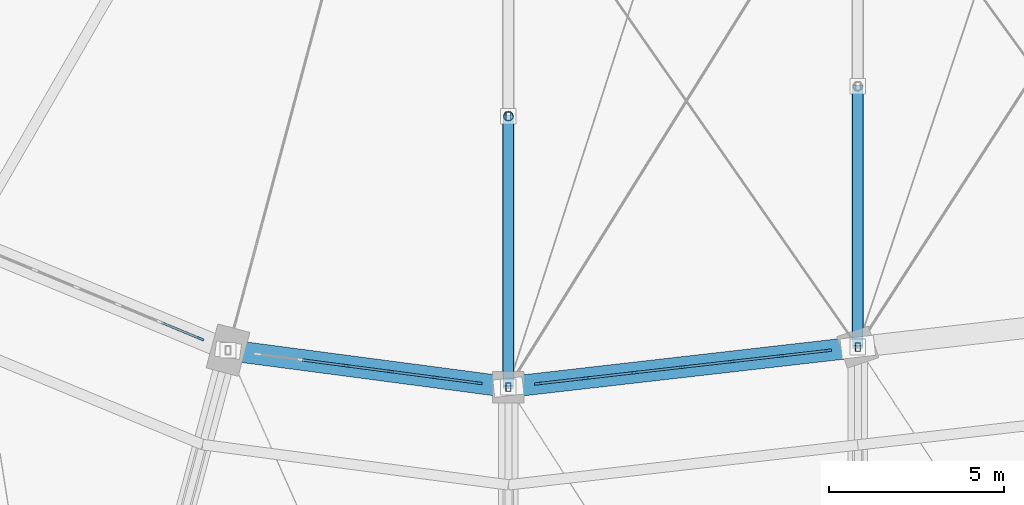
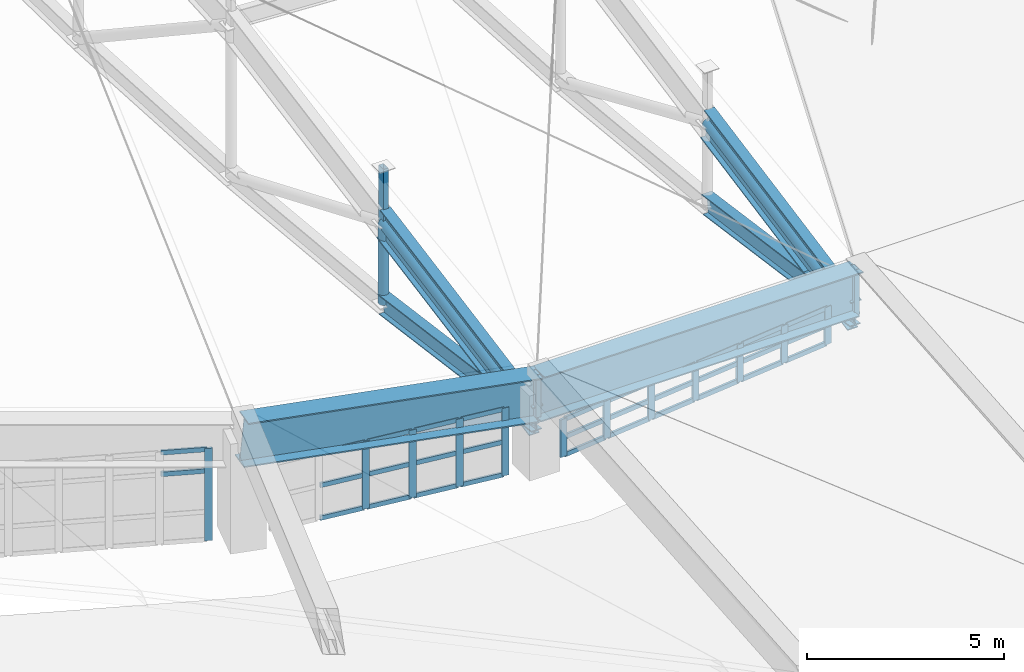
# One storey, part 11 of 68: 50 members, 6 beams, 3 elements without a shape of their own.
"""IFC4 building model written with IfcOpenShell, lengths in metres."""

from ifc_helpers import new_model, si_unit, direction, frame, origin, origin_2d, place, context, subcontext, project, spatial, rectangle, hollow_rectangle, hollow_circle, i_section, extrude, material, layer, layer_set, material_profile, profile_set, type_object, element, aggregate, save


model = new_model("IFC4")

# Units and contexts
model_context = context("Model", 3, precision=1e-05, world=origin(), true_north=direction((0.0, 1.0)))
body_context = subcontext(model_context, "Body", "Model", "MODEL_VIEW")
ifc_project = project(units=[si_unit("LENGTHUNIT", "METRE"), si_unit("AREAUNIT", "SQUARE_METRE"), si_unit("VOLUMEUNIT", "CUBIC_METRE"), si_unit("PLANEANGLEUNIT", "RADIAN"), si_unit("MASSUNIT", "GRAM", prefix="KILO")], contexts=[model_context])

# Site, building, storey
site_placement = place(None, origin())
site = spatial("IfcSite", under=ifc_project, at=site_placement, CompositionType="ELEMENT")
building_placement = place(site_placement, origin())
building = spatial("IfcBuilding", under=site, at=building_placement, Name="Sohan Crest Arena", CompositionType="ELEMENT")
storey_placement = place(building_placement, frame((0.0, 0.0, 27.0)))
storey = spatial("IfcBuildingStorey", under=building, at=storey_placement, Name="RF", CompositionType="ELEMENT", Elevation=27.0)

# Curtain wall, member
ifc_material_1 = material(Name="Thermally broken anodised aluminium", Category="aluminium")
ifc_layer = layer(ifc_material_1, 0.18994140625, Name="Thermally broken anodised aluminium")
ifc_layer_set = layer_set([ifc_layer], Name="Thermally broken anodised aluminium")
curtain_wall_type = type_object("IfcCurtainWallType", Name="ARC-CW05", PredefinedType="NOTDEFINED", material=ifc_layer_set)
curtain_wall_1_placement = place(storey_placement, origin())
curtain_wall_1 = element("IfcCurtainWall", 1, at=curtain_wall_1_placement, inside=storey, type_object=curtain_wall_type, Name="Unitised curtain wall CW-185", PredefinedType="NOTDEFINED")
ifc_material_profile_1 = material_profile(ifc_material_1, rectangle(XDim=0.070068359375, YDim=0.199951171875, at=origin_2d()), Name="ALU-MULL 70x200")
ifc_profile_set_1 = profile_set([ifc_material_profile_1], Name="Thermally broken anodised aluminium")
member_type_1 = type_object("IfcMemberType", Name="ARC-CW-ML03", PredefinedType="MULLION", material=ifc_profile_set_1)
member_1_placement = place(storey_placement, frame((89.186767578125, 48.38330078125, 0.0), z_axis=(0.0, 0.0, 1.0), x_axis=(0.382666625357, 0.923886494023, 0.0)))
member_1 = element("IfcMember", 2, at=member_1_placement, type_object=member_type_1, Name="CW-185 mullion 6", PredefinedType="MULLION", context=body_context, shape_type="SweptSolid", body=[
    extrude(rectangle(XDim=0.070068359375, YDim=0.199951171875, at=origin_2d()), origin(), (0.0, 0.0, 1.0), 2.861083984375),
])

# Curtain wall, members
curtain_wall_2_placement = place(storey_placement, origin())
curtain_wall_2 = element("IfcCurtainWall", 3, at=curtain_wall_2_placement, inside=storey, type_object=curtain_wall_type, Name="Unitised curtain wall CW-187", PredefinedType="NOTDEFINED")
member_2_placement = place(storey_placement, frame((93.348876953125, 47.6123046875, 0.0), z_axis=(0.0, 0.0, 1.0), x_axis=(0.130498613419, 0.991448491802, 0.0)))
member_2 = element("IfcMember", 4, at=member_2_placement, type_object=member_type_1, Name="CW-187 mullion 3", PredefinedType="MULLION", context=body_context, shape_type="SweptSolid", body=[
    extrude(rectangle(XDim=0.070068359375, YDim=0.199951171875, at=origin_2d()), origin(), (0.0, 0.0, 1.0), 2.097900390625),
])
member_3_placement = place(storey_placement, frame((94.628173828125, 47.44384765625, 0.0), z_axis=(0.0, 0.0, 1.0), x_axis=(0.130498613419, 0.991448491802, 0.0)))
member_3 = element("IfcMember", 5, at=member_3_placement, type_object=member_type_1, Name="CW-187 mullion 4", PredefinedType="MULLION", context=body_context, shape_type="SweptSolid", body=[
    extrude(rectangle(XDim=0.070068359375, YDim=0.199951171875, at=origin_2d()), origin(), (0.0, 0.0, 1.0), 2.097900390625),
])
member_4_placement = place(storey_placement, frame((95.90771484375, 47.275390625, 0.0), z_axis=(0.0, 0.0, 1.0), x_axis=(0.130498613419, 0.991448491802, 0.0)))
member_4 = element("IfcMember", 6, at=member_4_placement, type_object=member_type_1, Name="CW-187 mullion 5", PredefinedType="MULLION", context=body_context, shape_type="SweptSolid", body=[
    extrude(rectangle(XDim=0.070068359375, YDim=0.199951171875, at=origin_2d()), origin(), (0.0, 0.0, 1.0), 2.097900390625),
])
member_5_placement = place(storey_placement, frame((97.15234375, 47.111572265625, 0.0), z_axis=(0.0, 0.0, 1.0), x_axis=(0.130498613419, 0.991448491802, 0.0)))
member_5 = element("IfcMember", 7, at=member_5_placement, type_object=member_type_1, Name="CW-187 mullion 6", PredefinedType="MULLION", context=body_context, shape_type="SweptSolid", body=[
    extrude(rectangle(XDim=0.070068359375, YDim=0.199951171875, at=origin_2d()), origin(), (0.0, 0.0, 1.0), 2.097900390625),
])

curtain_wall_3_placement = place(storey_placement, origin())
curtain_wall_3 = element("IfcCurtainWall", 8, at=curtain_wall_3_placement, inside=storey, type_object=curtain_wall_type, Name="Unitised curtain wall CW-189", PredefinedType="NOTDEFINED")
member_6_placement = place(storey_placement, frame((98.849853515625, 47.096923828125, 0.0), z_axis=(0.0, 0.0, 1.0), x_axis=(-0.11359680696, 0.993526932422, 0.0)))
member_6 = element("IfcMember", 9, at=member_6_placement, type_object=member_type_1, Name="CW-189 mullion 1", PredefinedType="MULLION", context=body_context, shape_type="SweptSolid", body=[
    extrude(rectangle(XDim=0.070068359375, YDim=0.199951171875, at=origin_2d()), origin(), (0.0, 0.0, 1.0), 1.1669921875),
])
member_7_placement = place(storey_placement, frame((100.2099609375, 47.25244140625, 0.0), z_axis=(0.0, 0.0, 1.0), x_axis=(-0.11359680696, 0.993526932422, 0.0)))
member_7 = element("IfcMember", 10, at=member_7_placement, type_object=member_type_1, Name="CW-189 mullion 2", PredefinedType="MULLION", context=body_context, shape_type="SweptSolid", body=[
    extrude(rectangle(XDim=0.070068359375, YDim=0.199951171875, at=origin_2d()), origin(), (0.0, 0.0, 1.0), 1.1669921875),
])
member_8_placement = place(storey_placement, frame((101.60498046875, 47.412109375, 0.0), z_axis=(0.0, 0.0, 1.0), x_axis=(-0.11359680696, 0.993526932422, 0.0)))
member_8 = element("IfcMember", 11, at=member_8_placement, type_object=member_type_1, Name="CW-189 mullion 3", PredefinedType="MULLION", context=body_context, shape_type="SweptSolid", body=[
    extrude(rectangle(XDim=0.070068359375, YDim=0.199951171875, at=origin_2d()), origin(), (0.0, 0.0, 1.0), 1.1669921875),
])
member_9_placement = place(storey_placement, frame((103.0, 47.571533203125, 0.0), z_axis=(0.0, 0.0, 1.0), x_axis=(-0.11359680696, 0.993526932422, 0.0)))
member_9 = element("IfcMember", 12, at=member_9_placement, type_object=member_type_1, Name="CW-189 mullion 4", PredefinedType="MULLION", context=body_context, shape_type="SweptSolid", body=[
    extrude(rectangle(XDim=0.070068359375, YDim=0.199951171875, at=origin_2d()), origin(), (0.0, 0.0, 1.0), 1.1669921875),
])
member_10_placement = place(storey_placement, frame((104.39501953125, 47.73095703125, 0.0), z_axis=(0.0, 0.0, 1.0), x_axis=(-0.11359680696, 0.993526932422, 0.0)))
member_10 = element("IfcMember", 13, at=member_10_placement, type_object=member_type_1, Name="CW-189 mullion 5", PredefinedType="MULLION", context=body_context, shape_type="SweptSolid", body=[
    extrude(rectangle(XDim=0.070068359375, YDim=0.199951171875, at=origin_2d()), origin(), (0.0, 0.0, 1.0), 1.1669921875),
])
member_11_placement = place(storey_placement, frame((105.7900390625, 47.890380859375, 0.0), z_axis=(0.0, 0.0, 1.0), x_axis=(-0.11359680696, 0.993526932422, 0.0)))
member_11 = element("IfcMember", 14, at=member_11_placement, type_object=member_type_1, Name="CW-189 mullion 6", PredefinedType="MULLION", context=body_context, shape_type="SweptSolid", body=[
    extrude(rectangle(XDim=0.070068359375, YDim=0.199951171875, at=origin_2d()), origin(), (0.0, 0.0, 1.0), 1.1669921875),
])
member_12_placement = place(storey_placement, frame((107.150146484375, 48.046142578125, 0.0), z_axis=(0.0, 0.0, 1.0), x_axis=(-0.11359680696, 0.993526932422, 0.0)))
member_12 = element("IfcMember", 15, at=member_12_placement, type_object=member_type_1, Name="CW-189 mullion 7", PredefinedType="MULLION", context=body_context, shape_type="SweptSolid", body=[
    extrude(rectangle(XDim=0.070068359375, YDim=0.199951171875, at=origin_2d()), origin(), (0.0, 0.0, 1.0), 1.1669921875),
])

# Member
ifc_material_profile_2 = material_profile(ifc_material_1, rectangle(XDim=0.06494140625, YDim=0.139892578125, at=origin_2d()), Name="ALU-TRAN 65x140")
ifc_profile_set_2 = profile_set([ifc_material_profile_2], Name="Thermally broken anodised aluminium")
member_type_2 = type_object("IfcMemberType", Name="ARC-CW-TR02", PredefinedType="USERDEFINED", material=ifc_profile_set_2)
member_13_placement = place(storey_placement, frame((88.05908203125, 48.850341796875, 2.160888671875), z_axis=(0.923891330959, -0.382654947151, 0.0), x_axis=(0.382654947151, 0.923891330959, 0.0)))
member_13 = element("IfcMember", 16, at=member_13_placement, type_object=member_type_2, Name="CW-185 transom 5.3", ObjectType="TRANSOM", PredefinedType="USERDEFINED", context=body_context, shape_type="SweptSolid", body=[
    extrude(rectangle(XDim=0.06494140625, YDim=0.139892578125, at=origin_2d()), origin(), (0.0, 0.0, 1.0), 1.185546875),
])

member_14_placement = place(storey_placement, frame((88.05908203125, 48.850341796875, 2.82861328125), z_axis=(0.923891330959, -0.382654947151, 0.0), x_axis=(0.382654947151, 0.923891330959, 0.0)))
member_14 = element("IfcMember", 17, at=member_14_placement, type_object=member_type_2, Name="CW-185 transom 5.4", ObjectType="TRANSOM", PredefinedType="USERDEFINED", context=body_context, shape_type="SweptSolid", body=[
    extrude(rectangle(XDim=0.06494140625, YDim=0.139892578125, at=origin_2d()), origin(), (0.0, 0.0, 1.0), 1.185546875),
])

aggregate(curtain_wall_1, [member_1, member_13, member_14])

member_15_placement = place(storey_placement, frame((92.10400390625, 47.776123046875, 0.032470703125), z_axis=(0.991434542181, -0.130604550342, 0.0), x_axis=(0.130604550342, 0.991434542181, 0.0)))
member_15 = element("IfcMember", 18, at=member_15_placement, type_object=member_type_2, Name="CW-187 transom 2.1", ObjectType="TRANSOM", PredefinedType="USERDEFINED", context=body_context, shape_type="SweptSolid", body=[
    extrude(rectangle(XDim=0.06494140625, YDim=0.139892578125, at=origin_2d()), origin(), (0.0, 0.0, 1.0), 1.220703125),
])

member_16_placement = place(storey_placement, frame((92.10400390625, 47.776123046875, 1.049072265625), z_axis=(0.991434542181, -0.130604550342, 0.0), x_axis=(0.130604550342, 0.991434542181, 0.0)))
member_16 = element("IfcMember", 19, at=member_16_placement, type_object=member_type_2, Name="CW-187 transom 2.2", ObjectType="TRANSOM", PredefinedType="USERDEFINED", context=body_context, shape_type="SweptSolid", body=[
    extrude(rectangle(XDim=0.06494140625, YDim=0.139892578125, at=origin_2d()), origin(), (0.0, 0.0, 1.0), 1.220703125),
])

member_17_placement = place(storey_placement, frame((92.10400390625, 47.776123046875, 2.0654296875), z_axis=(0.991434542181, -0.130604550342, 0.0), x_axis=(0.130604550342, 0.991434542181, 0.0)))
member_17 = element("IfcMember", 20, at=member_17_placement, type_object=member_type_2, Name="CW-187 transom 2.3", ObjectType="TRANSOM", PredefinedType="USERDEFINED", context=body_context, shape_type="SweptSolid", body=[
    extrude(rectangle(XDim=0.06494140625, YDim=0.139892578125, at=origin_2d()), origin(), (0.0, 0.0, 1.0), 1.220703125),
])

member_18_placement = place(storey_placement, frame((93.383544921875, 47.607666015625, 0.032470703125), z_axis=(0.991457018973, -0.130433812827, 0.0), x_axis=(0.130433812827, 0.991457018973, 0.0)))
member_18 = element("IfcMember", 21, at=member_18_placement, type_object=member_type_2, Name="CW-187 transom 3.1", ObjectType="TRANSOM", PredefinedType="USERDEFINED", context=body_context, shape_type="SweptSolid", body=[
    extrude(rectangle(XDim=0.06494140625, YDim=0.139892578125, at=origin_2d()), origin(), (0.0, 0.0, 1.0), 1.220458984375),
])

member_19_placement = place(storey_placement, frame((93.383544921875, 47.607666015625, 1.049072265625), z_axis=(0.991457018973, -0.130433812827, 0.0), x_axis=(0.130433812827, 0.991457018973, 0.0)))
member_19 = element("IfcMember", 22, at=member_19_placement, type_object=member_type_2, Name="CW-187 transom 3.2", ObjectType="TRANSOM", PredefinedType="USERDEFINED", context=body_context, shape_type="SweptSolid", body=[
    extrude(rectangle(XDim=0.06494140625, YDim=0.139892578125, at=origin_2d()), origin(), (0.0, 0.0, 1.0), 1.220458984375),
])

member_20_placement = place(storey_placement, frame((93.383544921875, 47.607666015625, 2.0654296875), z_axis=(0.991457018973, -0.130433812827, 0.0), x_axis=(0.130433812827, 0.991457018973, 0.0)))
member_20 = element("IfcMember", 23, at=member_20_placement, type_object=member_type_2, Name="CW-187 transom 3.3", ObjectType="TRANSOM", PredefinedType="USERDEFINED", context=body_context, shape_type="SweptSolid", body=[
    extrude(rectangle(XDim=0.06494140625, YDim=0.139892578125, at=origin_2d()), origin(), (0.0, 0.0, 1.0), 1.220458984375),
])

member_21_placement = place(storey_placement, frame((94.662841796875, 47.439208984375, 0.032470703125), z_axis=(0.991457018973, -0.130433812827, 0.0), x_axis=(0.130433812827, 0.991457018973, 0.0)))
member_21 = element("IfcMember", 24, at=member_21_placement, type_object=member_type_2, Name="CW-187 transom 4.1", ObjectType="TRANSOM", PredefinedType="USERDEFINED", context=body_context, shape_type="SweptSolid", body=[
    extrude(rectangle(XDim=0.06494140625, YDim=0.139892578125, at=origin_2d()), origin(), (0.0, 0.0, 1.0), 1.220458984375),
])

member_22_placement = place(storey_placement, frame((94.662841796875, 47.439208984375, 1.049072265625), z_axis=(0.991457018973, -0.130433812827, 0.0), x_axis=(0.130433812827, 0.991457018973, 0.0)))
member_22 = element("IfcMember", 25, at=member_22_placement, type_object=member_type_2, Name="CW-187 transom 4.2", ObjectType="TRANSOM", PredefinedType="USERDEFINED", context=body_context, shape_type="SweptSolid", body=[
    extrude(rectangle(XDim=0.06494140625, YDim=0.139892578125, at=origin_2d()), origin(), (0.0, 0.0, 1.0), 1.220458984375),
])

member_23_placement = place(storey_placement, frame((94.662841796875, 47.439208984375, 2.0654296875), z_axis=(0.991457018973, -0.130433812827, 0.0), x_axis=(0.130433812827, 0.991457018973, 0.0)))
member_23 = element("IfcMember", 26, at=member_23_placement, type_object=member_type_2, Name="CW-187 transom 4.3", ObjectType="TRANSOM", PredefinedType="USERDEFINED", context=body_context, shape_type="SweptSolid", body=[
    extrude(rectangle(XDim=0.06494140625, YDim=0.139892578125, at=origin_2d()), origin(), (0.0, 0.0, 1.0), 1.220458984375),
])

member_24_placement = place(storey_placement, frame((95.9423828125, 47.270751953125, 0.032470703125), z_axis=(0.991465507922, -0.130369270153, 0.0), x_axis=(0.130369270153, 0.991465507922, 0.0)))
member_24 = element("IfcMember", 27, at=member_24_placement, type_object=member_type_2, Name="CW-187 transom 5.1", ObjectType="TRANSOM", PredefinedType="USERDEFINED", context=body_context, shape_type="SweptSolid", body=[
    extrude(rectangle(XDim=0.06494140625, YDim=0.139892578125, at=origin_2d()), origin(), (0.0, 0.0, 1.0), 1.185302734375),
])

member_25_placement = place(storey_placement, frame((95.9423828125, 47.270751953125, 1.049072265625), z_axis=(0.991465507922, -0.130369270153, 0.0), x_axis=(0.130369270153, 0.991465507922, 0.0)))
member_25 = element("IfcMember", 28, at=member_25_placement, type_object=member_type_2, Name="CW-187 transom 5.2", ObjectType="TRANSOM", PredefinedType="USERDEFINED", context=body_context, shape_type="SweptSolid", body=[
    extrude(rectangle(XDim=0.06494140625, YDim=0.139892578125, at=origin_2d()), origin(), (0.0, 0.0, 1.0), 1.185302734375),
])

member_26_placement = place(storey_placement, frame((95.9423828125, 47.270751953125, 2.0654296875), z_axis=(0.991465507922, -0.130369270153, 0.0), x_axis=(0.130369270153, 0.991465507922, 0.0)))
member_26 = element("IfcMember", 29, at=member_26_placement, type_object=member_type_2, Name="CW-187 transom 5.3", ObjectType="TRANSOM", PredefinedType="USERDEFINED", context=body_context, shape_type="SweptSolid", body=[
    extrude(rectangle(XDim=0.06494140625, YDim=0.139892578125, at=origin_2d()), origin(), (0.0, 0.0, 1.0), 1.185302734375),
])

aggregate(curtain_wall_2, [member_2, member_3, member_4, member_5, member_15, member_16, member_17, member_18, member_19, member_20, member_21, member_22, member_23, member_24, member_25, member_26])

member_27_placement = place(storey_placement, frame((98.884521484375, 47.100830078125, 0.032470703125), z_axis=(0.99351630859, 0.113689685398, 0.0), x_axis=(-0.113689685398, 0.99351630859, 0.0)))
member_27 = element("IfcMember", 30, at=member_27_placement, type_object=member_type_2, Name="CW-189 transom 1.1", ObjectType="TRANSOM", PredefinedType="USERDEFINED", context=body_context, shape_type="SweptSolid", body=[
    extrude(rectangle(XDim=0.06494140625, YDim=0.139892578125, at=origin_2d()), origin(), (0.0, 0.0, 1.0), 1.29931640625),
])

member_28_placement = place(storey_placement, frame((98.884521484375, 47.100830078125, 0.583984375), z_axis=(0.99351630859, 0.113689685398, 0.0), x_axis=(-0.113689685398, 0.99351630859, 0.0)))
member_28 = element("IfcMember", 31, at=member_28_placement, type_object=member_type_2, Name="CW-189 transom 1.2", ObjectType="TRANSOM", PredefinedType="USERDEFINED", context=body_context, shape_type="SweptSolid", body=[
    extrude(rectangle(XDim=0.06494140625, YDim=0.139892578125, at=origin_2d()), origin(), (0.0, 0.0, 1.0), 1.29931640625),
])

member_29_placement = place(storey_placement, frame((98.884521484375, 47.100830078125, 1.134521484375), z_axis=(0.99351630859, 0.113689685398, 0.0), x_axis=(-0.113689685398, 0.99351630859, 0.0)))
member_29 = element("IfcMember", 32, at=member_29_placement, type_object=member_type_2, Name="CW-189 transom 1.3", ObjectType="TRANSOM", PredefinedType="USERDEFINED", context=body_context, shape_type="SweptSolid", body=[
    extrude(rectangle(XDim=0.06494140625, YDim=0.139892578125, at=origin_2d()), origin(), (0.0, 0.0, 1.0), 1.29931640625),
])

member_30_placement = place(storey_placement, frame((100.244873046875, 47.256591796875, 0.032470703125), z_axis=(0.993542107108, 0.113464009285, 0.0), x_axis=(-0.113464009285, 0.993542107108, 0.0)))
member_30 = element("IfcMember", 33, at=member_30_placement, type_object=member_type_2, Name="CW-189 transom 2.1", ObjectType="TRANSOM", PredefinedType="USERDEFINED", context=body_context, shape_type="SweptSolid", body=[
    extrude(rectangle(XDim=0.06494140625, YDim=0.139892578125, at=origin_2d()), origin(), (0.0, 0.0, 1.0), 1.333984375),
])

member_31_placement = place(storey_placement, frame((100.244873046875, 47.256591796875, 0.583984375), z_axis=(0.993542107108, 0.113464009285, 0.0), x_axis=(-0.113464009285, 0.993542107108, 0.0)))
member_31 = element("IfcMember", 34, at=member_31_placement, type_object=member_type_2, Name="CW-189 transom 2.2", ObjectType="TRANSOM", PredefinedType="USERDEFINED", context=body_context, shape_type="SweptSolid", body=[
    extrude(rectangle(XDim=0.06494140625, YDim=0.139892578125, at=origin_2d()), origin(), (0.0, 0.0, 1.0), 1.333984375),
])

member_32_placement = place(storey_placement, frame((100.244873046875, 47.256591796875, 1.134521484375), z_axis=(0.993542107108, 0.113464009285, 0.0), x_axis=(-0.113464009285, 0.993542107108, 0.0)))
member_32 = element("IfcMember", 35, at=member_32_placement, type_object=member_type_2, Name="CW-189 transom 2.3", ObjectType="TRANSOM", PredefinedType="USERDEFINED", context=body_context, shape_type="SweptSolid", body=[
    extrude(rectangle(XDim=0.06494140625, YDim=0.139892578125, at=origin_2d()), origin(), (0.0, 0.0, 1.0), 1.333984375),
])

member_33_placement = place(storey_placement, frame((101.639892578125, 47.416015625, 0.032470703125), z_axis=(0.993521460563, 0.113644654082, 0.0), x_axis=(-0.113644654082, 0.993521460563, 0.0)))
member_33 = element("IfcMember", 36, at=member_33_placement, type_object=member_type_2, Name="CW-189 transom 3.1", ObjectType="TRANSOM", PredefinedType="USERDEFINED", context=body_context, shape_type="SweptSolid", body=[
    extrude(rectangle(XDim=0.06494140625, YDim=0.139892578125, at=origin_2d()), origin(), (0.0, 0.0, 1.0), 1.333984375),
])

member_34_placement = place(storey_placement, frame((101.639892578125, 47.416015625, 0.583984375), z_axis=(0.993521460563, 0.113644654082, 0.0), x_axis=(-0.113644654082, 0.993521460563, 0.0)))
member_34 = element("IfcMember", 37, at=member_34_placement, type_object=member_type_2, Name="CW-189 transom 3.2", ObjectType="TRANSOM", PredefinedType="USERDEFINED", context=body_context, shape_type="SweptSolid", body=[
    extrude(rectangle(XDim=0.06494140625, YDim=0.139892578125, at=origin_2d()), origin(), (0.0, 0.0, 1.0), 1.333984375),
])

member_35_placement = place(storey_placement, frame((101.639892578125, 47.416015625, 1.134521484375), z_axis=(0.993521460563, 0.113644654082, 0.0), x_axis=(-0.113644654082, 0.993521460563, 0.0)))
member_35 = element("IfcMember", 38, at=member_35_placement, type_object=member_type_2, Name="CW-189 transom 3.3", ObjectType="TRANSOM", PredefinedType="USERDEFINED", context=body_context, shape_type="SweptSolid", body=[
    extrude(rectangle(XDim=0.06494140625, YDim=0.139892578125, at=origin_2d()), origin(), (0.0, 0.0, 1.0), 1.333984375),
])

member_36_placement = place(storey_placement, frame((103.03466796875, 47.575439453125, 0.032470703125), z_axis=(0.993521460563, 0.113644654082, 0.0), x_axis=(-0.113644654082, 0.993521460563, 0.0)))
member_36 = element("IfcMember", 39, at=member_36_placement, type_object=member_type_2, Name="CW-189 transom 4.1", ObjectType="TRANSOM", PredefinedType="USERDEFINED", context=body_context, shape_type="SweptSolid", body=[
    extrude(rectangle(XDim=0.06494140625, YDim=0.139892578125, at=origin_2d()), origin(), (0.0, 0.0, 1.0), 1.333984375),
])

member_37_placement = place(storey_placement, frame((103.03466796875, 47.575439453125, 0.583984375), z_axis=(0.993521460563, 0.113644654082, 0.0), x_axis=(-0.113644654082, 0.993521460563, 0.0)))
member_37 = element("IfcMember", 40, at=member_37_placement, type_object=member_type_2, Name="CW-189 transom 4.2", ObjectType="TRANSOM", PredefinedType="USERDEFINED", context=body_context, shape_type="SweptSolid", body=[
    extrude(rectangle(XDim=0.06494140625, YDim=0.139892578125, at=origin_2d()), origin(), (0.0, 0.0, 1.0), 1.333984375),
])

member_38_placement = place(storey_placement, frame((103.03466796875, 47.575439453125, 1.134521484375), z_axis=(0.993521460563, 0.113644654082, 0.0), x_axis=(-0.113644654082, 0.993521460563, 0.0)))
member_38 = element("IfcMember", 41, at=member_38_placement, type_object=member_type_2, Name="CW-189 transom 4.3", ObjectType="TRANSOM", PredefinedType="USERDEFINED", context=body_context, shape_type="SweptSolid", body=[
    extrude(rectangle(XDim=0.06494140625, YDim=0.139892578125, at=origin_2d()), origin(), (0.0, 0.0, 1.0), 1.333984375),
])

member_39_placement = place(storey_placement, frame((104.4296875, 47.73486328125, 0.032470703125), z_axis=(0.993521460563, 0.113644654082, 0.0), x_axis=(-0.113644654082, 0.993521460563, 0.0)))
member_39 = element("IfcMember", 42, at=member_39_placement, type_object=member_type_2, Name="CW-189 transom 5.1", ObjectType="TRANSOM", PredefinedType="USERDEFINED", context=body_context, shape_type="SweptSolid", body=[
    extrude(rectangle(XDim=0.06494140625, YDim=0.139892578125, at=origin_2d()), origin(), (0.0, 0.0, 1.0), 1.333984375),
])

member_40_placement = place(storey_placement, frame((104.4296875, 47.73486328125, 0.583984375), z_axis=(0.993521460563, 0.113644654082, 0.0), x_axis=(-0.113644654082, 0.993521460563, 0.0)))
member_40 = element("IfcMember", 43, at=member_40_placement, type_object=member_type_2, Name="CW-189 transom 5.2", ObjectType="TRANSOM", PredefinedType="USERDEFINED", context=body_context, shape_type="SweptSolid", body=[
    extrude(rectangle(XDim=0.06494140625, YDim=0.139892578125, at=origin_2d()), origin(), (0.0, 0.0, 1.0), 1.333984375),
])

member_41_placement = place(storey_placement, frame((104.4296875, 47.73486328125, 1.134521484375), z_axis=(0.993521460563, 0.113644654082, 0.0), x_axis=(-0.113644654082, 0.993521460563, 0.0)))
member_41 = element("IfcMember", 44, at=member_41_placement, type_object=member_type_2, Name="CW-189 transom 5.3", ObjectType="TRANSOM", PredefinedType="USERDEFINED", context=body_context, shape_type="SweptSolid", body=[
    extrude(rectangle(XDim=0.06494140625, YDim=0.139892578125, at=origin_2d()), origin(), (0.0, 0.0, 1.0), 1.333984375),
])

member_42_placement = place(storey_placement, frame((105.82470703125, 47.89453125, 0.032470703125), z_axis=(0.993537517414, 0.113504191511, 0.0), x_axis=(-0.113504191511, 0.993537517414, 0.0)))
member_42 = element("IfcMember", 45, at=member_42_placement, type_object=member_type_2, Name="CW-189 transom 6.1", ObjectType="TRANSOM", PredefinedType="USERDEFINED", context=body_context, shape_type="SweptSolid", body=[
    extrude(rectangle(XDim=0.06494140625, YDim=0.139892578125, at=origin_2d()), origin(), (0.0, 0.0, 1.0), 1.299072265625),
])

member_43_placement = place(storey_placement, frame((105.82470703125, 47.89453125, 0.583984375), z_axis=(0.993537517414, 0.113504191511, 0.0), x_axis=(-0.113504191511, 0.993537517414, 0.0)))
member_43 = element("IfcMember", 46, at=member_43_placement, type_object=member_type_2, Name="CW-189 transom 6.2", ObjectType="TRANSOM", PredefinedType="USERDEFINED", context=body_context, shape_type="SweptSolid", body=[
    extrude(rectangle(XDim=0.06494140625, YDim=0.139892578125, at=origin_2d()), origin(), (0.0, 0.0, 1.0), 1.299072265625),
])

member_44_placement = place(storey_placement, frame((105.82470703125, 47.89453125, 1.134521484375), z_axis=(0.993537517414, 0.113504191511, 0.0), x_axis=(-0.113504191511, 0.993537517414, 0.0)))
member_44 = element("IfcMember", 47, at=member_44_placement, type_object=member_type_2, Name="CW-189 transom 6.3", ObjectType="TRANSOM", PredefinedType="USERDEFINED", context=body_context, shape_type="SweptSolid", body=[
    extrude(rectangle(XDim=0.06494140625, YDim=0.139892578125, at=origin_2d()), origin(), (0.0, 0.0, 1.0), 1.299072265625),
])

aggregate(curtain_wall_3, [member_6, member_7, member_8, member_9, member_10, member_11, member_12, member_27, member_28, member_29, member_30, member_31, member_32, member_33, member_34, member_35, member_36, member_37, member_38, member_39, member_40, member_41, member_42, member_43, member_44])

# Beams
ifc_material_2 = material(Name="Steel S355", Category="steel")
ifc_material_profile_3 = material_profile(ifc_material_2, i_section(OverallWidth=0.300048828125, OverallDepth=0.60009765625, WebThickness=0.015380859375, FlangeThickness=0.030029296875, at=origin_2d()), Name="HEB 600")
ifc_profile_set_3 = profile_set([ifc_material_profile_3], Name="Steel S355")
beam_type_1 = type_object("IfcBeamType", Name="STR-BM-B15", PredefinedType="BEAM", material=ifc_profile_set_3)
beam_1_placement = place(storey_placement, frame((98.0, 47.0, 1.4609375), z_axis=(0.0, 0.99094567936, -0.134263399916), x_axis=(-1.0, 0.0, 0.0)))
element("IfcBeam", 48, at=beam_1_placement, inside=storey, type_object=beam_type_1, Name="Structural beam RAB-RF-3017", PredefinedType="BEAM", context=body_context, shape_type="SweptSolid", body=[
    extrude(i_section(OverallWidth=0.300048828125, OverallDepth=0.60009765625, WebThickness=0.015380859375, FlangeThickness=0.030029296875, at=origin_2d()), origin(), (0.0, 0.0, 1.0), 7.82080078125),
])
beam_2_placement = place(storey_placement, frame((108.0, 48.14306640625, 0.532958984375), z_axis=(0.0, 0.990248481428, -0.139312400845), x_axis=(-1.0, 0.0, 0.0)))
element("IfcBeam", 49, at=beam_2_placement, inside=storey, type_object=beam_type_1, Name="Structural beam RAB-RF-3033", PredefinedType="BEAM", context=body_context, shape_type="SweptSolid", body=[
    extrude(i_section(OverallWidth=0.300048828125, OverallDepth=0.60009765625, WebThickness=0.015380859375, FlangeThickness=0.030029296875, at=origin_2d()), origin(), (0.0, 0.0, 1.0), 7.537353515625),
])
ifc_material_profile_4 = material_profile(ifc_material_2, i_section(OverallWidth=0.300048828125, OverallDepth=1.0, WebThickness=0.01904296875, FlangeThickness=0.035888671875, at=origin_2d()), Name="HEB 1000")
ifc_profile_set_4 = profile_set([ifc_material_profile_4], Name="Steel S355")
beam_type_2 = type_object("IfcBeamType", Name="STR-BM-B19", PredefinedType="BEAM", material=ifc_profile_set_4)
beam_3_placement = place(storey_placement, frame((98.0, 47.0, 1.4609375), z_axis=(0.0, 0.983079114162, 0.183181481863), x_axis=(-1.0, 0.0, 0.0)))
element("IfcBeam", 50, at=beam_3_placement, inside=storey, type_object=beam_type_2, Name="Structural beam RA-RF-3016", PredefinedType="BEAM", context=body_context, shape_type="SweptSolid", body=[
    extrude(i_section(OverallWidth=0.300048828125, OverallDepth=1.0, WebThickness=0.01904296875, FlangeThickness=0.035888671875, at=origin_2d()), origin(), (0.0, 0.0, 1.0), 7.88330078125),
])
beam_4_placement = place(storey_placement, frame((108.0, 48.14306640625, 0.532958984375), z_axis=(0.0, 0.981797431238, 0.189931050686), x_axis=(-1.0, 0.0, 0.0)))
element("IfcBeam", 51, at=beam_4_placement, inside=storey, type_object=beam_type_2, Name="Structural beam RA-RF-3032", PredefinedType="BEAM", context=body_context, shape_type="SweptSolid", body=[
    extrude(i_section(OverallWidth=0.300048828125, OverallDepth=1.0, WebThickness=0.01904296875, FlangeThickness=0.035888671875, at=origin_2d()), origin(), (0.0, 0.0, 1.0), 7.603271484375),
])
ifc_material_profile_5 = material_profile(ifc_material_2, i_section(OverallWidth=0.60009765625, OverallDepth=1.35009765625, WebThickness=0.02392578125, FlangeThickness=0.035888671875, at=origin_2d()), Name="PG 1350x600x24x36")
ifc_profile_set_5 = profile_set([ifc_material_profile_5], Name="Steel S355")
beam_type_3 = type_object("IfcBeamType", Name="STR-BM-RB02", PredefinedType="USERDEFINED", material=ifc_profile_set_5)
beam_5_placement = place(storey_placement, frame((89.97705078125, 48.055908203125, 3.0380859375), z_axis=(0.987025402807, -0.129903379805, -0.094371426438), x_axis=(0.130485730048, 0.99145018748, 0.0)))
element("IfcBeam", 52, at=beam_5_placement, inside=storey, type_object=beam_type_3, Name="Rising compression ring beam segment RB-12", ObjectType="RING BEAM", PredefinedType="USERDEFINED", context=body_context, shape_type="SweptSolid", body=[
    extrude(i_section(OverallWidth=0.60009765625, OverallDepth=1.35009765625, WebThickness=0.02392578125, FlangeThickness=0.035888671875, at=origin_2d()), origin(), (0.0, 0.0, 1.0), 8.12841796875),
])
beam_6_placement = place(storey_placement, frame((98.0, 47.0, 2.27099609375), z_axis=(0.989334368203, 0.113087488084, -0.091808103846), x_axis=(-0.113567114035, 0.99353032697, 0.0)))
element("IfcBeam", 53, at=beam_6_placement, inside=storey, type_object=beam_type_3, Name="Rising compression ring beam segment RB-13", ObjectType="RING BEAM", PredefinedType="USERDEFINED", context=body_context, shape_type="SweptSolid", body=[
    extrude(i_section(OverallWidth=0.60009765625, OverallDepth=1.35009765625, WebThickness=0.02392578125, FlangeThickness=0.035888671875, at=origin_2d()), origin(), (0.0, 0.0, 1.0), 10.10791015625),
])

# Members
ifc_material_profile_6 = material_profile(ifc_material_2, hollow_circle(Radius=0.136474609375, WallThickness=0.012451171875, at=origin_2d()), Name="CHS 273x12.5")
ifc_profile_set_6 = profile_set([ifc_material_profile_6], Name="Steel S355")
member_type_3 = type_object("IfcMemberType", Name="STR-MEM-BR02", PredefinedType="BRACE", material=ifc_profile_set_6)
member_45_placement = place(storey_placement, frame((98.0, 54.75, 0.410888671875), z_axis=(0.0, 0.0, 1.0), x_axis=(1.0, 0.0, 0.0)))
element("IfcMember", 54, at=member_45_placement, inside=storey, type_object=member_type_3, Name="Lenticular roof truss web strut TW-071", PredefinedType="BRACE", context=body_context, shape_type="SweptSolid", body=[
    extrude(hollow_circle(Radius=0.136474609375, WallThickness=0.012451171875, at=origin_2d()), origin(), (0.0, 0.0, 1.0), 2.494140625),
])
ifc_material_profile_7 = material_profile(ifc_material_2, hollow_circle(Radius=0.161865234375, WallThickness=0.012451171875, at=origin_2d()), Name="CHS 323.9x12.5")
ifc_profile_set_7 = profile_set([ifc_material_profile_7], Name="Steel S355")
member_type_4 = type_object("IfcMemberType", Name="STR-MEM-BR03", PredefinedType="BRACE", material=ifc_profile_set_7)
member_46_placement = place(storey_placement, frame((98.0, 47.0, 1.4609375), z_axis=(0.0, 0.983079114162, 0.183181481863), x_axis=(-1.0, 0.0, 0.0)))
element("IfcMember", 55, at=member_46_placement, inside=storey, type_object=member_type_4, Name="Lenticular roof truss web diagonal TD-070", PredefinedType="BRACE", context=body_context, shape_type="SweptSolid", body=[
    extrude(hollow_circle(Radius=0.161865234375, WallThickness=0.012451171875, at=origin_2d()), origin(), (0.0, 0.0, 1.0), 7.88330078125),
])
member_47_placement = place(storey_placement, frame((108.0, 48.14306640625, 0.532958984375), z_axis=(0.0, 0.981797431238, 0.189931050686), x_axis=(-1.0, 0.0, 0.0)))
element("IfcMember", 56, at=member_47_placement, inside=storey, type_object=member_type_4, Name="Lenticular roof truss web diagonal TD-094", PredefinedType="BRACE", context=body_context, shape_type="SweptSolid", body=[
    extrude(hollow_circle(Radius=0.161865234375, WallThickness=0.012451171875, at=origin_2d()), origin(), (0.0, 0.0, 1.0), 7.603271484375),
])
ifc_material_profile_8 = material_profile(ifc_material_2, hollow_rectangle(XDim=0.14990234375, YDim=0.25, WallThickness=0.010009765625, at=origin_2d()), Name="RHS 250x150x10")
ifc_profile_set_8 = profile_set([ifc_material_profile_8], Name="Steel S355")
member_type_5 = type_object("IfcMemberType", Name="STR-MEM-CH02", PredefinedType="CHORD", material=ifc_profile_set_8)
member_48_placement = place(storey_placement, frame((98.0, 47.0, 1.4609375), z_axis=(0.0, 0.0, 1.0), x_axis=(1.0, 0.0, 0.0)))
element("IfcMember", 57, at=member_48_placement, inside=storey, type_object=member_type_5, Name="Roof deck bearing saddle chord RSP-061", PredefinedType="CHORD", context=body_context, shape_type="SweptSolid", body=[
    extrude(hollow_rectangle(XDim=0.14990234375, YDim=0.25, WallThickness=0.010009765625, at=origin_2d()), origin(), (0.0, 0.0, 1.0), 1.489990234375),
])
member_49_placement = place(storey_placement, frame((98.0, 54.75, 2.905029296875), z_axis=(0.0, 0.0, 1.0), x_axis=(1.0, 0.0, 0.0)))
element("IfcMember", 58, at=member_49_placement, inside=storey, type_object=member_type_5, Name="Roof deck bearing saddle chord RSP-062", PredefinedType="CHORD", context=body_context, shape_type="SweptSolid", body=[
    extrude(hollow_rectangle(XDim=0.14990234375, YDim=0.25, WallThickness=0.010009765625, at=origin_2d()), origin(), (0.0, 0.0, 1.0), 1.72998046875),
])
member_50_placement = place(storey_placement, frame((108.0, 48.14306640625, 0.532958984375), z_axis=(0.0, 0.0, 1.0), x_axis=(1.0, 0.0, 0.0)))
element("IfcMember", 59, at=member_50_placement, inside=storey, type_object=member_type_5, Name="Roof deck bearing saddle chord RSP-085", PredefinedType="CHORD", context=body_context, shape_type="SweptSolid", body=[
    extrude(hollow_rectangle(XDim=0.14990234375, YDim=0.25, WallThickness=0.010009765625, at=origin_2d()), origin(), (0.0, 0.0, 1.0), 1.489990234375),
])

save(model, "model.ifc")
